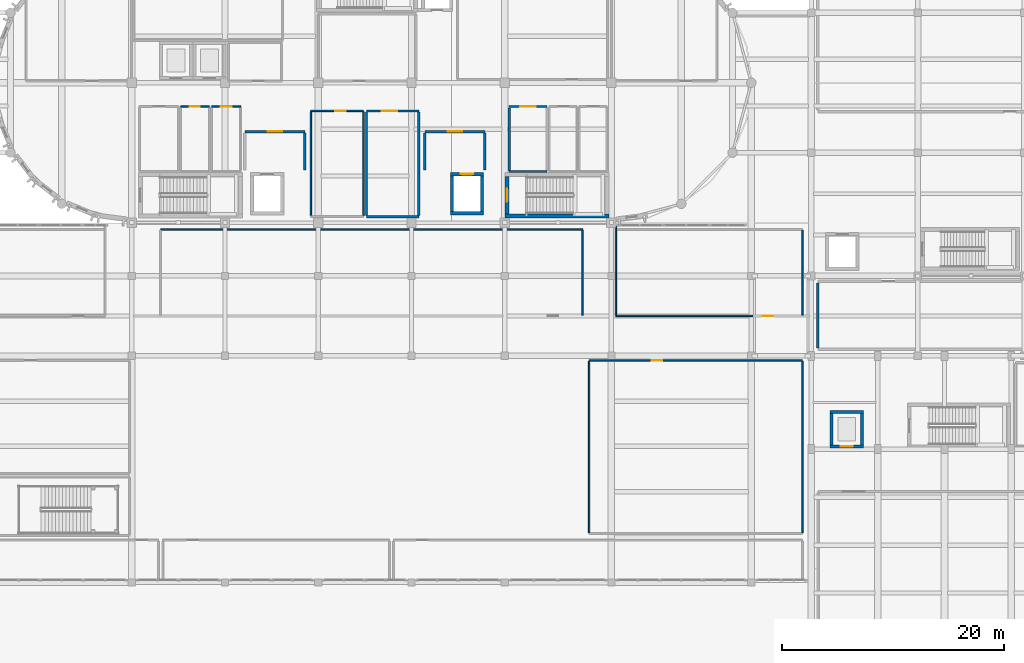
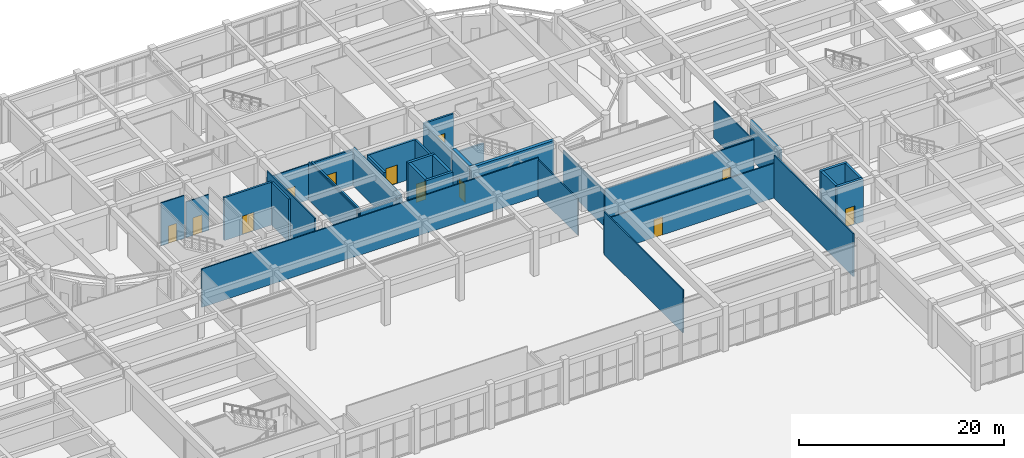
# One storey, part 73 of 98: 36 walls, 12 doors, 12 openings.
"""IFC4 building model written with IfcOpenShell, lengths in metres."""

import ifcopenshell
import ifcopenshell.guid

model = None  # the IFC model being written
_history = None  # IfcOwnerHistory: only IFC2X3 demands one
_inside = {}  # id of a spatial element -> (the spatial element, [elements in it])
_under = {}  # id of a project, library or spatial element -> (it, [spatial elements below it])
_declared = {}  # id of a project -> (the project, [libraries it declares])
_typed = {}  # id of a type object -> (the type object, [elements of that type])
_made_of = {}  # id of a material, layer set ... -> (it, [elements and type objects made of it])


def new_model(schema):
    """Start an empty IFC model of exactly this schema.

    Asked for "IFC4X3", IfcOpenShell would pick the latest addendum, in which some entities
    have other attributes; the version numbers below select the first issue.
    IFC2X3 requires an IfcOwnerHistory on every rooted entity: one is made here for all.
    """
    global model, _history
    if schema == "IFC4X3":
        model = ifcopenshell.file(schema_version=(4, 3, 0, 0))
    else:
        model = ifcopenshell.file(schema=schema)
    _inside.clear()
    _under.clear()
    _declared.clear()
    _typed.clear()
    _made_of.clear()
    _history = None
    if model.schema == "IFC2X3":
        org = make("IfcOrganization", Name="unknown")
        user = make(
            "IfcPersonAndOrganization",
            ThePerson=make("IfcPerson", FamilyName="unknown"),
            TheOrganization=org,
        )
        app = make(
            "IfcApplication",
            ApplicationDeveloper=org,
            Version="unknown",
            ApplicationFullName="unknown",
            ApplicationIdentifier="unknown",
        )
        _history = make(
            "IfcOwnerHistory",
            OwningUser=user,
            OwningApplication=app,
            ChangeAction="ADDED",
            CreationDate=0,
        )
    return model


def make(cls, **values):
    """One entity of the class cls with the attributes given. An attribute that is None is left unset."""
    return model.create_entity(
        cls, **{name: value for name, value in values.items() if value is not None}
    )


def rooted(cls, **values):
    """An entity with a GlobalId (a new one), such as an element, a storey or a relation."""
    return make(cls, GlobalId=ifcopenshell.guid.new(), OwnerHistory=_history, **values)


def si_unit(unit_type, name, prefix=None):
    """IfcSIUnit, for example si_unit("LENGTHUNIT", "METRE", prefix="MILLI")."""
    return make("IfcSIUnit", UnitType=unit_type, Prefix=prefix, Name=name)


def assignment(units):
    """IfcUnitAssignment: the units of a project."""
    return None if units is None else make("IfcUnitAssignment", Units=units)


def point(xyz):
    """IfcCartesianPoint."""
    return None if xyz is None else make("IfcCartesianPoint", Coordinates=xyz)


def direction(xyz):
    """IfcDirection."""
    return None if xyz is None else make("IfcDirection", DirectionRatios=xyz)


def frame(location, z_axis=None, x_axis=None):
    """IfcAxis2Placement3D, a coordinate frame: its origin and axes. An axis left out is left unset."""
    return make(
        "IfcAxis2Placement3D",
        Location=point(location),
        Axis=direction(z_axis),
        RefDirection=direction(x_axis),
    )


def frame_2d(location, x_axis=None):
    """IfcAxis2Placement2D, a coordinate frame in the plane: its origin and x axis."""
    return make(
        "IfcAxis2Placement2D", Location=point(location), RefDirection=direction(x_axis)
    )


def origin():
    """The frame at (0, 0, 0) with its axes left unset."""
    return frame((0.0, 0.0, 0.0))


def place(relative_to, where):
    """IfcLocalPlacement: puts the frame where relative to a parent placement (None: the world)."""
    return make(
        "IfcLocalPlacement", PlacementRelTo=relative_to, RelativePlacement=where
    )


def context(
    kind, dimensions, precision=None, world=None, true_north=None, identifier=None
):
    """IfcGeometricRepresentationContext, for example the 3D "Model" context."""
    return make(
        "IfcGeometricRepresentationContext",
        ContextIdentifier=identifier,
        ContextType=kind,
        CoordinateSpaceDimension=dimensions,
        Precision=precision,
        WorldCoordinateSystem=world,
        TrueNorth=true_north,
    )


def subcontext(parent, identifier, kind, view, scale=None):
    """IfcGeometricRepresentationSubContext, for example "Body" below "Model"."""
    return make(
        "IfcGeometricRepresentationSubContext",
        ContextIdentifier=identifier,
        ContextType=kind,
        ParentContext=parent,
        TargetScale=scale,
        TargetView=view,
    )


def project(units=None, contexts=None):
    """IfcProject with its units and contexts."""
    return rooted(
        "IfcProject",
        Name="project",
        RepresentationContexts=contexts,
        UnitsInContext=assignment(units),
    )


def spatial(cls, under=None, at=None, **own):
    """A site, building, storey or space (cls), placed at a placement, below another one or the project."""
    s = rooted(cls, ObjectPlacement=at, **own)
    if under is not None:
        _under.setdefault(under.id(), (under, []))[1].append(s)
    return s


def profile(cls, at=None, kind="AREA", **sizes):
    """A parametric profile (cls). Its sizes go by their IFC names, for example OverallWidth=200.0."""
    return make(cls, ProfileType=kind, Position=at, **sizes)


def rectangle(**sizes):
    """IfcRectangleProfileDef."""
    return profile("IfcRectangleProfileDef", **sizes)


def extrude(swept, where, along, depth):
    """IfcExtrudedAreaSolid: the profile swept, set in the frame where, extruded along a direction by depth."""
    return make(
        "IfcExtrudedAreaSolid",
        SweptArea=swept,
        Position=where,
        ExtrudedDirection=direction(along),
        Depth=depth,
    )


def shape(context_of_items, identifier, shape_type, items):
    """IfcShapeRepresentation: the items that make up one representation, for example the "Body"."""
    return make(
        "IfcShapeRepresentation",
        ContextOfItems=context_of_items,
        RepresentationIdentifier=identifier,
        RepresentationType=shape_type,
        Items=items,
    )


def material(Name=None, Category=None):
    """IfcMaterial."""
    return make("IfcMaterial", Name=Name, Category=Category)


def layer(
    of_material, thickness, ventilated=None, Name=None, Category=None, Priority=None
):
    """IfcMaterialLayer: one layer of a wall or slab, of a material (None: an air gap)."""
    return make(
        "IfcMaterialLayer",
        Material=of_material,
        LayerThickness=thickness,
        IsVentilated=ventilated,
        Name=Name,
        Category=Category,
        Priority=Priority,
    )


def layer_set(layers, Name=None):
    """IfcMaterialLayerSet."""
    return make("IfcMaterialLayerSet", MaterialLayers=layers, LayerSetName=Name)


def made_of(thing, what):
    """Note that an element or type object is made of a material, layer set ...; save() writes the relation."""
    if what is not None:
        _made_of.setdefault(what.id(), (what, []))[1].append(thing)
    return thing


def type_object(cls, material=None, **own):
    """A type object (cls), such as IfcWallType, which elements share."""
    return made_of(rooted(cls, **own), material)


def element(
    cls,
    number,
    at=None,
    inside=None,
    cuts=None,
    type_object=None,
    material=None,
    context=None,
    identifier="Body",
    shape_type=None,
    held_by="IfcProductDefinitionShape",
    body=None,
    shapes=None,
    **own,
):
    """One element of the class cls, such as IfcWall. Its Tag is "e" and its number.

    at: its placement. inside: the storey or other place that contains it. cuts: it is an
    opening in that element (IfcRelVoidsElement). A single representation is given by context,
    identifier, shape_type and body (its items); several are given by shapes. held_by: the class
    of the entity that holds the representations. save() writes the other relations.
    """
    e = rooted(cls, Tag="e%d" % number, ObjectPlacement=at, **own)
    if body is not None:
        shapes = [shape(context, identifier, shape_type, body)]
    if shapes is not None:
        e.Representation = make(held_by, Representations=shapes)
    if inside is not None:
        _inside.setdefault(inside.id(), (inside, []))[1].append(e)
    if cuts is not None:
        rooted(
            "IfcRelVoidsElement", RelatingBuildingElement=cuts, RelatedOpeningElement=e
        )
    if type_object is not None:
        _typed.setdefault(type_object.id(), (type_object, []))[1].append(e)
    return made_of(e, material)


def fill(opening, filler):
    """IfcRelFillsElement: the door or window that sits in an opening."""
    return rooted(
        "IfcRelFillsElement",
        RelatingOpeningElement=opening,
        RelatedBuildingElement=filler,
    )


def aggregate(whole, parts):
    """IfcRelAggregates: a whole, such as a stair, and the parts it consists of."""
    return rooted("IfcRelAggregates", RelatingObject=whole, RelatedObjects=parts)


def save(model, path):
    """Write the relations noted so far, then the file.

    IfcRelAggregates (storeys below a building ...), IfcRelContainedInSpatialStructure (elements
    in a storey), IfcRelDefinesByType, IfcRelAssociatesMaterial and IfcRelDeclares: one each for
    every whole, place, type object, material and project.
    """
    for whole, parts in _under.values():
        aggregate(whole, parts)
    for where, things in _inside.values():
        rooted(
            "IfcRelContainedInSpatialStructure",
            RelatedElements=things,
            RelatingStructure=where,
        )
    for kind, things in _typed.values():
        rooted("IfcRelDefinesByType", RelatedObjects=things, RelatingType=kind)
    for what, things in _made_of.values():
        rooted("IfcRelAssociatesMaterial", RelatedObjects=things, RelatingMaterial=what)
    for by, libraries in _declared.values():
        rooted("IfcRelDeclares", RelatingContext=by, RelatedDefinitions=libraries)
    model.write(path)


model = new_model("IFC4")

# Units and contexts
model_context = context("Model", 3, precision=1e-05, world=origin(), true_north=direction((0.0, 1.0)))
body_context = subcontext(model_context, "Body", "Model", "MODEL_VIEW")
ifc_project = project(units=[si_unit("LENGTHUNIT", "METRE"), si_unit("AREAUNIT", "SQUARE_METRE"), si_unit("VOLUMEUNIT", "CUBIC_METRE"), si_unit("PLANEANGLEUNIT", "RADIAN"), si_unit("MASSUNIT", "GRAM", prefix="KILO")], contexts=[model_context])

# Site, building, storey
site_placement = place(None, origin())
site = spatial("IfcSite", under=ifc_project, at=site_placement, CompositionType="ELEMENT")
building_placement = place(site_placement, origin())
building = spatial("IfcBuilding", under=site, at=building_placement, Name="Tarnavel Promenade Courthouse", CompositionType="ELEMENT")
storey_placement = place(building_placement, origin())
storey = spatial("IfcBuildingStorey", under=building, at=storey_placement, Name="L01", CompositionType="ELEMENT", Elevation=0.0)

# Wall, opening, door
ifc_material_1 = material(Name="Concrete C40/50", Category="concrete")
ifc_layer_1 = layer(ifc_material_1, 0.280029296875)
ifc_layer_set_1 = layer_set([ifc_layer_1], Name="Concrete C40/50")
wall_type_1 = type_object("IfcWallType", Name="Concrete C40/50 WL-SHR-280 (280 mm)", PredefinedType="SHEAR", material=ifc_layer_set_1)
wall_1_placement = place(storey_placement, frame((87.5, 83.56005859375, 0.0), z_axis=(0.0, 0.0, 1.0), x_axis=(1.0, 0.0, 0.0)))
wall_1 = element("IfcWall", 1, at=wall_1_placement, inside=storey, type_object=wall_type_1, Name="L01 L-FF2 Lift Shaft North Wall", PredefinedType="SHEAR", context=body_context, shape_type="SweptSolid", body=[
    extrude(rectangle(XDim=3.0, YDim=0.280029296875, at=frame_2d((1.5, 0.0))), origin(), (0.0, 0.0, 1.0), 5.139892578125),
])
opening_1_placement = place(wall_1_placement, frame((0.949951171875, 0.0, 0.0)))
opening_1 = element("IfcOpeningElement", 2, at=opening_1_placement, cuts=wall_1, Name="Opening LD-01", PredefinedType="OPENING", context=body_context, shape_type="SweptSolid", body=[
    extrude(rectangle(XDim=1.10009765625, YDim=2.199951171875, at=frame_2d((0.550048828125, 1.10009765625))), frame((0.0, 0.14990234375, 0.0), z_axis=(0.0, -1.0, 0.0), x_axis=(1.0, 0.0, 0.0)), (0.0, 0.0, 1.0), 0.300048828125),
])
ifc_material_2 = material(Name="Stainless Steel Firefighting Lift Landing Sliding Door", Category="steel")
door_type_1 = type_object("IfcDoorType", Name="Stainless Steel Firefighting Lift Landing Sliding Door (LD-FF-1100x2200)", OperationType="NOTDEFINED", PredefinedType="DOOR", material=ifc_material_2)
door_1_placement = place(opening_1_placement, origin())
door_1 = element("IfcDoor", 3, at=door_1_placement, inside=storey, type_object=door_type_1, Name="L01 L-FF2 Lift Sliding Landing Door", OperationType="DOUBLE_DOOR_SLIDING", OverallHeight=2.199951171875, OverallWidth=1.10009765625, PredefinedType="DOOR", context=body_context, shape_type="SweptSolid", body=[
    extrude(rectangle(XDim=1.10009765625, YDim=2.199951171875, at=frame_2d((0.550048828125, 1.10009765625))), frame((0.0, 0.02490234375, 0.0), z_axis=(0.0, -1.0, 0.0), x_axis=(1.0, 0.0, 0.0)), (0.0, 0.0, 1.0), 0.050048828125),
])
fill(opening_1, door_1)

# Walls
wall_2_placement = place(storey_placement, frame((90.5, 80.0400390625, 0.0), z_axis=(0.0, 0.0, 1.0), x_axis=(-1.0, 0.0, 0.0)))
element("IfcWall", 4, at=wall_2_placement, inside=storey, type_object=wall_type_1, Name="L01 L-FF2 Lift Shaft South Wall", PredefinedType="SHEAR", context=body_context, shape_type="SweptSolid", body=[
    extrude(rectangle(XDim=3.0, YDim=0.280029296875, at=frame_2d((1.5, 0.0))), origin(), (0.0, 0.0, 1.0), 5.139892578125),
])
for number, where, z_axis, x_axis, name in (
    (5, (87.639892578125, 80.179931640625, 0.0), (0.0, 0.0, 1.0), (0.0, 1.0, 0.0), "L01 L-FF2 Lift Shaft West Wall"),
    (6, (90.360107421875, 83.419921875, 0.0), (0.0, 0.0, 1.0), (0.0, -1.0, 0.0), "L01 L-FF2 Lift Shaft East Wall"),
):
    element("IfcWall", number, at=place(storey_placement, frame(where, z_axis=z_axis, x_axis=x_axis)), inside=storey, type_object=wall_type_1, Name=name, PredefinedType="SHEAR", context=body_context, shape_type="SweptSolid", body=[
        extrude(rectangle(XDim=3.239990234375, YDim=0.280029296875, at=frame_2d((1.6201171875, 0.0))), origin(), (0.0, 0.0, 1.0), 5.139892578125),
    ])
wall_3_placement = place(storey_placement, frame((121.699951171875, 62.159912109375, 0.0), z_axis=(0.0, 0.0, 1.0), x_axis=(1.0, 0.0, 0.0)))
element("IfcWall", 7, at=wall_3_placement, inside=storey, type_object=wall_type_1, Name="L01 L-PUB4 Lift Shaft North Wall", PredefinedType="SHEAR", context=body_context, shape_type="SweptSolid", body=[
    extrude(rectangle(XDim=3.0, YDim=0.280029296875, at=frame_2d((1.5, 0.0))), origin(), (0.0, 0.0, 1.0), 5.139892578125),
])

# Wall, opening, door
wall_4_placement = place(storey_placement, frame((124.699951171875, 59.0400390625, 0.0), z_axis=(0.0, 0.0, 1.0), x_axis=(-1.0, 0.0, 0.0)))
wall_4 = element("IfcWall", 8, at=wall_4_placement, inside=storey, type_object=wall_type_1, Name="L01 L-PUB4 Lift Shaft South Wall", PredefinedType="SHEAR", context=body_context, shape_type="SweptSolid", body=[
    extrude(rectangle(XDim=3.0, YDim=0.280029296875, at=frame_2d((1.5, 0.0))), origin(), (0.0, 0.0, 1.0), 5.139892578125),
])
opening_2_placement = place(wall_4_placement, frame((0.97509765625, 0.0, 0.0)))
opening_2 = element("IfcOpeningElement", 9, at=opening_2_placement, cuts=wall_4, Name="Opening LD-02", PredefinedType="OPENING", context=body_context, shape_type="SweptSolid", body=[
    extrude(rectangle(XDim=1.050048828125, YDim=2.199951171875, at=frame_2d((0.52490234375, 1.10009765625))), frame((0.0, 0.14990234375, 0.0), z_axis=(0.0, -1.0, 0.0), x_axis=(1.0, 0.0, 0.0)), (0.0, 0.0, 1.0), 0.300048828125),
])
ifc_material_3 = material(Name="Brushed Bronze Passenger Lift Landing Sliding Door")
door_type_2 = type_object("IfcDoorType", Name="Brushed Bronze Passenger Lift Landing Sliding Door (LD-PUB-1050x2200)", OperationType="NOTDEFINED", PredefinedType="DOOR", material=ifc_material_3)
door_2_placement = place(opening_2_placement, origin())
door_2 = element("IfcDoor", 10, at=door_2_placement, inside=storey, type_object=door_type_2, Name="L01 L-PUB4 Lift Sliding Landing Door", OperationType="DOUBLE_DOOR_SLIDING", OverallHeight=2.199951171875, OverallWidth=1.050048828125, PredefinedType="DOOR", context=body_context, shape_type="SweptSolid", body=[
    extrude(rectangle(XDim=1.050048828125, YDim=2.199951171875, at=frame_2d((0.52490234375, 1.10009765625))), frame((0.0, 0.02490234375, 0.0), z_axis=(0.0, -1.0, 0.0), x_axis=(1.0, 0.0, 0.0)), (0.0, 0.0, 1.0), 0.050048828125),
])
fill(opening_2, door_2)

# Walls
for number, where, z_axis, x_axis, name in (
    (11, (121.840087890625, 59.179931640625, 0.0), (0.0, 0.0, 1.0), (0.0, 1.0, 0.0), "L01 L-PUB4 Lift Shaft West Wall"),
    (12, (124.56005859375, 62.02001953125, 0.0), (0.0, 0.0, 1.0), (0.0, -1.0, 0.0), "L01 L-PUB4 Lift Shaft East Wall"),
):
    element("IfcWall", number, at=place(storey_placement, frame(where, z_axis=z_axis, x_axis=x_axis)), inside=storey, type_object=wall_type_1, Name=name, PredefinedType="SHEAR", context=body_context, shape_type="SweptSolid", body=[
        extrude(rectangle(XDim=2.840087890625, YDim=0.280029296875, at=frame_2d((1.419921875, 0.0))), origin(), (0.0, 0.0, 1.0), 5.139892578125),
    ])
ifc_layer_2 = layer(ifc_material_1, 0.360107421875)
ifc_layer_set_2 = layer_set([ifc_layer_2], Name="Concrete C40/50")
wall_type_2 = type_object("IfcWallType", Name="Concrete C40/50 WL-SHR-360 (360 mm)", PredefinedType="SHEAR", material=ifc_layer_set_2)
wall_5_placement = place(storey_placement, frame((101.780029296875, 79.800048828125, 0.0), z_axis=(0.0, 0.0, 1.0), x_axis=(-1.0, 0.0, 0.0)))
element("IfcWall", 13, at=wall_5_placement, inside=storey, type_object=wall_type_2, Name="L01 ST-02 Shear Core South Wall", PredefinedType="SHEAR", context=body_context, shape_type="SweptSolid", body=[
    extrude(rectangle(XDim=9.360107421875, YDim=0.360107421875, at=frame_2d((4.68017578125, 0.0))), origin(), (0.0, 0.0, 1.0), 5.139892578125),
])

# Wall, opening, door
wall_6_placement = place(storey_placement, frame((92.60009765625, 79.97998046875, 0.0), z_axis=(0.0, 0.0, 1.0), x_axis=(0.0, 1.0, 0.0)))
wall_6 = element("IfcWall", 14, at=wall_6_placement, inside=storey, type_object=wall_type_2, Name="L01 ST-02 Shear Core West Landing Wall", PredefinedType="SHEAR", context=body_context, shape_type="SweptSolid", body=[
    extrude(rectangle(XDim=3.360107421875, YDim=0.360107421875, at=frame_2d((1.68017578125, 0.0))), origin(), (0.0, 0.0, 1.0), 5.139892578125),
])
opening_3_placement = place(wall_6_placement, frame((1.080078125, 0.0, 0.0)))
opening_3 = element("IfcOpeningElement", 15, at=opening_3_placement, cuts=wall_6, Name="Opening FD-02", PredefinedType="OPENING", context=body_context, shape_type="SweptSolid", body=[
    extrude(rectangle(XDim=1.199951171875, YDim=2.199951171875, at=frame_2d((0.60009765625, 1.10009765625))), frame((0.0, 0.18994140625, 0.0), z_axis=(0.0, -1.0, 0.0), x_axis=(1.0, 0.0, 0.0)), (0.0, 0.0, 1.0), 0.380126953125),
])
ifc_material_4 = material(Name="Steel Fire-Rated Firefighting Stair Door", Category="steel")
door_type_3 = type_object("IfcDoorType", Name="Steel Fire-Rated Firefighting Stair Door (DR-ST-1200x2200)", OperationType="NOTDEFINED", PredefinedType="DOOR", material=ifc_material_4)
door_3_placement = place(opening_3_placement, origin())
door_3 = element("IfcDoor", 16, at=door_3_placement, inside=storey, type_object=door_type_3, Name="L01 ST-02 Protected Exit Stair Door", OperationType="SINGLE_SWING_LEFT", OverallHeight=2.199951171875, OverallWidth=1.199951171875, PredefinedType="DOOR", context=body_context, shape_type="SweptSolid", body=[
    extrude(rectangle(XDim=1.199951171875, YDim=2.199951171875, at=frame_2d((0.60009765625, 1.10009765625))), frame((0.0, 0.02490234375, 0.0), z_axis=(0.0, -1.0, 0.0), x_axis=(1.0, 0.0, 0.0)), (0.0, 0.0, 1.0), 0.050048828125),
])
fill(opening_3, door_3)

ifc_material_5 = material(Name="Concrete Masonry Fire Compartment Wall", Category="masonry")
ifc_layer_3 = layer(ifc_material_5, 0.205078125)
ifc_layer_set_3 = layer_set([ifc_layer_3], Name="Concrete Masonry Fire Compartment Wall")
wall_type_3 = type_object("IfcWallType", Name="Concrete Masonry Fire Compartment Wall WL-CMP-205 (205 mm)", PredefinedType="STANDARD", material=ifc_layer_set_3)
wall_7_placement = place(storey_placement, frame((92.800048828125, 89.64990234375, 0.0), z_axis=(0.0, 0.0, 1.0), x_axis=(1.0, 0.0, 0.0)))
wall_7 = element("IfcWall", 17, at=wall_7_placement, inside=storey, type_object=wall_type_3, Name="L01 L01 Court Transcript Records Room Partition 0109", PredefinedType="STANDARD", context=body_context, shape_type="SweptSolid", body=[
    extrude(rectangle(XDim=3.39990234375, YDim=0.205078125, at=frame_2d((1.699951171875, 0.0))), origin(), (0.0, 0.0, 1.0), 4.27001953125),
])
opening_4_placement = place(wall_7_placement, frame((1.0, 0.0, 0.0)))
opening_4 = element("IfcOpeningElement", 18, at=opening_4_placement, cuts=wall_7, Name="Opening FD-04", PredefinedType="OPENING", context=body_context, shape_type="SweptSolid", body=[
    extrude(rectangle(XDim=1.39990234375, YDim=2.25, at=frame_2d((0.699951171875, 1.125))), frame((0.0, 0.112548828125, 0.0), z_axis=(0.0, -1.0, 0.0), x_axis=(1.0, 0.0, 0.0)), (0.0, 0.0, 1.0), 0.22509765625),
])
ifc_material_6 = material(Name="Heavy Steel Plant Room Fire Door", Category="steel")
door_type_4 = type_object("IfcDoorType", Name="Heavy Steel Plant Room Fire Door (DR-PLT-1400x2250)", OperationType="NOTDEFINED", PredefinedType="DOOR", material=ifc_material_6)
door_4_placement = place(opening_4_placement, origin())
door_4 = element("IfcDoor", 19, at=door_4_placement, inside=storey, type_object=door_type_4, Name="L01 L01 Court Transcript Records Room Door 0031", OperationType="SINGLE_SWING_LEFT", OverallHeight=2.25, OverallWidth=1.39990234375, PredefinedType="DOOR", context=body_context, shape_type="SweptSolid", body=[
    extrude(rectangle(XDim=1.39990234375, YDim=2.25, at=frame_2d((0.699951171875, 1.125))), frame((0.0, 0.02490234375, 0.0), z_axis=(0.0, -1.0, 0.0), x_axis=(1.0, 0.0, 0.0)), (0.0, 0.0, 1.0), 0.050048828125),
])
fill(opening_4, door_4)

# Walls
wall_8_placement = place(storey_placement, frame((96.199951171875, 83.800048828125, 0.0), z_axis=(0.0, 0.0, 1.0), x_axis=(-1.0, 0.0, 0.0)))
element("IfcWall", 20, at=wall_8_placement, inside=storey, type_object=wall_type_3, Name="L01 L01 Court Transcript Records Room Partition 0110", PredefinedType="STANDARD", context=body_context, shape_type="SweptSolid", body=[
    extrude(rectangle(XDim=3.39990234375, YDim=0.205078125, at=frame_2d((1.699951171875, 0.0))), origin(), (0.0, 0.0, 1.0), 4.27001953125),
])
wall_9_placement = place(storey_placement, frame((92.800048828125, 83.91259765625, 0.0), z_axis=(0.0, 0.0, 1.0), x_axis=(0.0, 1.0, 0.0)))
element("IfcWall", 21, at=wall_9_placement, inside=storey, type_object=wall_type_3, Name="L01 L01 Court Transcript Records Room Partition 0111", PredefinedType="STANDARD", context=body_context, shape_type="SweptSolid", body=[
    extrude(rectangle(XDim=5.625, YDim=0.205078125, at=frame_2d((2.8125, 0.0))), origin(), (0.0, 0.0, 1.0), 4.27001953125),
])

# Wall, opening, door
wall_10_placement = place(storey_placement, frame((79.93994140625, 89.260009765625, 0.0), z_axis=(0.0, 0.0, 1.0), x_axis=(1.0, 0.0, 0.0)))
wall_10 = element("IfcWall", 22, at=wall_10_placement, inside=storey, type_object=wall_type_3, Name="L01 Judicial Archive Intake Room Partition 0236", PredefinedType="STANDARD", context=body_context, shape_type="SweptSolid", body=[
    extrude(rectangle(XDim=4.719970703125, YDim=0.205078125, at=frame_2d((2.35986328125, 0.0))), origin(), (0.0, 0.0, 1.0), 4.27001953125),
])
opening_5_placement = place(wall_10_placement, frame((1.39794921875, 0.0, 0.0)))
opening_5 = element("IfcOpeningElement", 23, at=opening_5_placement, cuts=wall_10, Name="Opening FD-04", PredefinedType="OPENING", context=body_context, shape_type="SweptSolid", body=[
    extrude(rectangle(XDim=1.39990234375, YDim=2.25, at=frame_2d((0.699951171875, 1.125))), frame((0.0, 0.112548828125, 0.0), z_axis=(0.0, -1.0, 0.0), x_axis=(1.0, 0.0, 0.0)), (0.0, 0.0, 1.0), 0.22509765625),
])
door_5_placement = place(opening_5_placement, origin())
door_5 = element("IfcDoor", 24, at=door_5_placement, inside=storey, type_object=door_type_4, Name="L01 Judicial Archive Intake Room Door 0068", OperationType="SINGLE_SWING_RIGHT", OverallHeight=2.25, OverallWidth=1.39990234375, PredefinedType="DOOR", context=body_context, shape_type="SweptSolid", body=[
    extrude(rectangle(XDim=1.39990234375, YDim=2.25, at=frame_2d((0.699951171875, 1.125))), frame((0.0, 0.02490234375, 0.0), z_axis=(0.0, -1.0, 0.0), x_axis=(1.0, 0.0, 0.0)), (0.0, 0.0, 1.0), 0.050048828125),
])
fill(opening_5, door_5)

# Walls
wall_11_placement = place(storey_placement, frame((84.659912109375, 79.739990234375, 0.0), z_axis=(0.0, 0.0, 1.0), x_axis=(-1.0, 0.0, 0.0)))
element("IfcWall", 25, at=wall_11_placement, inside=storey, type_object=wall_type_3, Name="L01 Judicial Archive Intake Room Partition 0237", PredefinedType="STANDARD", context=body_context, shape_type="SweptSolid", body=[
    extrude(rectangle(XDim=4.719970703125, YDim=0.205078125, at=frame_2d((2.35986328125, 0.0))), origin(), (0.0, 0.0, 1.0), 4.27001953125),
])
for number, where, z_axis, x_axis, name in (
    (26, (79.93994140625, 79.8525390625, 0.0), (0.0, 0.0, 1.0), (0.0, 1.0, 0.0), "L01 Judicial Archive Intake Room Partition 0238"),
    (27, (84.659912109375, 89.1474609375, 0.0), (0.0, 0.0, 1.0), (0.0, -1.0, 0.0), "L01 Judicial Archive Intake Room Partition 0239"),
):
    element("IfcWall", number, at=place(storey_placement, frame(where, z_axis=z_axis, x_axis=x_axis)), inside=storey, type_object=wall_type_3, Name=name, PredefinedType="STANDARD", context=body_context, shape_type="SweptSolid", body=[
        extrude(rectangle(XDim=9.294921875, YDim=0.205078125, at=frame_2d((4.6474609375, 0.0))), origin(), (0.0, 0.0, 1.0), 4.52001953125),
    ])

# Wall, opening, door
ifc_layer_4 = layer(ifc_material_5, 0.22998046875)
ifc_layer_set_4 = layer_set([ifc_layer_4], Name="Concrete Masonry Fire Compartment Wall")
wall_type_4 = type_object("IfcWallType", Name="Concrete Masonry Fire Compartment Wall WL-CMP-230 (230 mm)", PredefinedType="STANDARD", material=ifc_layer_set_4)
wall_12_placement = place(storey_placement, frame((69.0, 87.39990234375, 0.0), z_axis=(0.0, 0.0, 1.0), x_axis=(1.0, 0.0, 0.0)))
wall_12 = element("IfcWall", 28, at=wall_12_placement, inside=storey, type_object=wall_type_4, Name="L01 Firefighting Lobby L-FF1 Partition 0083", PredefinedType="STANDARD", context=body_context, shape_type="SweptSolid", body=[
    extrude(rectangle(XDim=5.39990234375, YDim=0.22998046875, at=frame_2d((2.699951171875, 0.0))), origin(), (0.0, 0.0, 1.0), 5.125),
])
opening_6_placement = place(wall_12_placement, frame((2.050048828125, 0.0, 0.0)))
opening_6 = element("IfcOpeningElement", 29, at=opening_6_placement, cuts=wall_12, Name="Opening FD-03", PredefinedType="OPENING", context=body_context, shape_type="SweptSolid", body=[
    extrude(rectangle(XDim=1.300048828125, YDim=2.199951171875, at=frame_2d((0.64990234375, 1.10009765625))), frame((0.0, 0.125, 0.0), z_axis=(0.0, -1.0, 0.0), x_axis=(1.0, 0.0, 0.0)), (0.0, 0.0, 1.0), 0.25),
])
ifc_material_7 = material(Name="Smoke-Sealed Firefighting Lobby Fire Door")
door_type_5 = type_object("IfcDoorType", Name="Smoke-Sealed Firefighting Lobby Fire Door (DR-FFL-1300x2200)", OperationType="NOTDEFINED", PredefinedType="DOOR", material=ifc_material_7)
door_6_placement = place(opening_6_placement, origin())
door_6 = element("IfcDoor", 30, at=door_6_placement, inside=storey, type_object=door_type_5, Name="L01 Firefighting Lobby L-FF1 Door 0024", OperationType="SINGLE_SWING_RIGHT", OverallHeight=2.199951171875, OverallWidth=1.300048828125, PredefinedType="DOOR", context=body_context, shape_type="SweptSolid", body=[
    extrude(rectangle(XDim=1.300048828125, YDim=2.199951171875, at=frame_2d((0.64990234375, 1.10009765625))), frame((0.0, 0.02490234375, 0.0), z_axis=(0.0, -1.0, 0.0), x_axis=(1.0, 0.0, 0.0)), (0.0, 0.0, 1.0), 0.050048828125),
])
fill(opening_6, door_6)

# Wall
wall_13_placement = place(storey_placement, frame((74.39990234375, 87.27490234375, 0.0), z_axis=(0.0, 0.0, 1.0), x_axis=(0.0, -1.0, 0.0)))
element("IfcWall", 31, at=wall_13_placement, inside=storey, type_object=wall_type_4, Name="L01 Firefighting Lobby L-FF1 Partition 0085", PredefinedType="STANDARD", context=body_context, shape_type="SweptSolid", body=[
    extrude(rectangle(XDim=3.349853515625, YDim=0.22998046875, at=frame_2d((1.6748046875, 0.0))), origin(), (0.0, 0.0, 1.0), 5.125),
])

# Wall, opening, door
wall_14_placement = place(storey_placement, frame((85.199951171875, 87.39990234375, 0.0), z_axis=(0.0, 0.0, 1.0), x_axis=(1.0, 0.0, 0.0)))
wall_14 = element("IfcWall", 32, at=wall_14_placement, inside=storey, type_object=wall_type_4, Name="L01 Firefighting Lobby L-FF2 Partition 0086", PredefinedType="STANDARD", context=body_context, shape_type="SweptSolid", body=[
    extrude(rectangle(XDim=5.400146484375, YDim=0.22998046875, at=frame_2d((2.7001953125, 0.0))), origin(), (0.0, 0.0, 1.0), 4.52001953125),
])
opening_7_placement = place(wall_14_placement, frame((2.050048828125, 0.0, 0.0)))
opening_7 = element("IfcOpeningElement", 33, at=opening_7_placement, cuts=wall_14, Name="Opening FD-03", PredefinedType="OPENING", context=body_context, shape_type="SweptSolid", body=[
    extrude(rectangle(XDim=1.300048828125, YDim=2.199951171875, at=frame_2d((0.64990234375, 1.10009765625))), frame((0.0, 0.125, 0.0), z_axis=(0.0, -1.0, 0.0), x_axis=(1.0, 0.0, 0.0)), (0.0, 0.0, 1.0), 0.25),
])
door_7_placement = place(opening_7_placement, origin())
door_7 = element("IfcDoor", 34, at=door_7_placement, inside=storey, type_object=door_type_5, Name="L01 Firefighting Lobby L-FF2 Door 0025", OperationType="SINGLE_SWING_LEFT", OverallHeight=2.199951171875, OverallWidth=1.300048828125, PredefinedType="DOOR", context=body_context, shape_type="SweptSolid", body=[
    extrude(rectangle(XDim=1.300048828125, YDim=2.199951171875, at=frame_2d((0.64990234375, 1.10009765625))), frame((0.0, 0.02490234375, 0.0), z_axis=(0.0, -1.0, 0.0), x_axis=(1.0, 0.0, 0.0)), (0.0, 0.0, 1.0), 0.050048828125),
])
fill(opening_7, door_7)

# Walls
for number, where, z_axis, x_axis, name in (
    (35, (85.199951171875, 83.925048828125, 0.0), (0.0, 0.0, 1.0), (0.0, 1.0, 0.0), "L01 Firefighting Lobby L-FF2 Partition 0087"),
    (36, (90.60009765625, 87.27490234375, 0.0), (0.0, 0.0, 1.0), (0.0, -1.0, 0.0), "L01 Firefighting Lobby L-FF2 Partition 0088"),
):
    element("IfcWall", number, at=place(storey_placement, frame(where, z_axis=z_axis, x_axis=x_axis)), inside=storey, type_object=wall_type_4, Name=name, PredefinedType="STANDARD", context=body_context, shape_type="SweptSolid", body=[
        extrude(rectangle(XDim=3.349853515625, YDim=0.22998046875, at=frame_2d((1.6748046875, 0.0))), origin(), (0.0, 0.0, 1.0), 4.52001953125),
    ])
wall_15_placement = place(storey_placement, frame((120.60009765625, 67.925048828125, 0.0), z_axis=(0.0, 0.0, 1.0), x_axis=(0.0, 1.0, 0.0)))
element("IfcWall", 37, at=wall_15_placement, inside=storey, type_object=wall_type_4, Name="L01 Custody Suite Intake Processing Partition 0211", PredefinedType="STANDARD", context=body_context, shape_type="SweptSolid", body=[
    extrude(rectangle(XDim=5.849853515625, YDim=0.22998046875, at=frame_2d((2.9248046875, 0.0))), origin(), (0.0, 0.0, 1.0), 4.570068359375),
])
ifc_material_8 = material(Name="Metal-Stud Acoustic Gypsum Partition", Category="gypsum")
ifc_layer_5 = layer(ifc_material_8, 0.135009765625)
ifc_layer_set_5 = layer_set([ifc_layer_5], Name="Metal-Stud Acoustic Gypsum Partition")
wall_type_5 = type_object("IfcWallType", Name="Metal-Stud Acoustic Gypsum Partition WL-OFF-135 (135 mm)", PredefinedType="PARTITIONING", material=ifc_layer_set_5)
wall_16_placement = place(storey_placement, frame((61.39990234375, 78.60009765625, 0.0), z_axis=(0.0, 0.0, 1.0), x_axis=(1.0, 0.0, 0.0)))
element("IfcWall", 38, at=wall_16_placement, inside=storey, type_object=wall_type_5, Name="L01 Central Civil and Commercial Docket Registry Partition 0180", PredefinedType="PARTITIONING", context=body_context, shape_type="SweptSolid", body=[
    extrude(rectangle(XDim=38.0, YDim=0.135009765625, at=frame_2d((19.0, 0.0))), origin(), (0.0, 0.0, 1.0), 4.580078125),
])
wall_17_placement = place(storey_placement, frame((99.39990234375, 78.5224609375, 0.0), z_axis=(0.0, 0.0, 1.0), x_axis=(0.0, -1.0, 0.0)))
element("IfcWall", 39, at=wall_17_placement, inside=storey, type_object=wall_type_5, Name="L01 Central Civil and Commercial Docket Registry Partition 0183", PredefinedType="PARTITIONING", context=body_context, shape_type="SweptSolid", body=[
    extrude(rectangle(XDim=7.64501953125, YDim=0.135009765625, at=frame_2d((3.822509765625, 0.0))), origin(), (0.0, 0.0, 1.0), 4.330078125),
])

# Wall, opening, door
wall_18_placement = place(storey_placement, frame((119.199951171875, 70.800048828125, 0.0), z_axis=(0.0, 0.0, 1.0), x_axis=(-1.0, 0.0, 0.0)))
wall_18 = element("IfcWall", 40, at=wall_18_placement, inside=storey, type_object=wall_type_5, Name="L01 Advocates' Collegium Seminar Room Partition 0185", PredefinedType="PARTITIONING", context=body_context, shape_type="SweptSolid", body=[
    extrude(rectangle(XDim=16.800048828125, YDim=0.135009765625, at=frame_2d((8.39990234375, 0.0))), origin(), (0.0, 0.0, 1.0), 4.530029296875),
])
opening_8_placement = place(wall_18_placement, frame((2.62255859375, 0.0, 0.0)))
opening_8 = element("IfcOpeningElement", 41, at=opening_8_placement, cuts=wall_18, Name="Opening ID-06", PredefinedType="OPENING", context=body_context, shape_type="SweptSolid", body=[
    extrude(rectangle(XDim=0.949951171875, YDim=2.14990234375, at=frame_2d((0.47509765625, 1.074951171875))), frame((0.0, 0.077392578125, 0.0), z_axis=(0.0, -1.0, 0.0), x_axis=(1.0, 0.0, 0.0)), (0.0, 0.0, 1.0), 0.155029296875),
])
ifc_material_9 = material(Name="Acoustic Timber Veneer Office Door", Category="wood")
door_type_6 = type_object("IfcDoorType", Name="Acoustic Timber Veneer Office Door (DR-OFF-0950x2150)", OperationType="NOTDEFINED", PredefinedType="DOOR", material=ifc_material_9)
door_8_placement = place(opening_8_placement, origin())
door_8 = element("IfcDoor", 42, at=door_8_placement, inside=storey, type_object=door_type_6, Name="L01 Advocates' Collegium Seminar Room Door 0053", OperationType="SINGLE_SWING_RIGHT", OverallHeight=2.14990234375, OverallWidth=0.949951171875, PredefinedType="DOOR", context=body_context, shape_type="SweptSolid", body=[
    extrude(rectangle(XDim=0.949951171875, YDim=2.14990234375, at=frame_2d((0.47509765625, 1.074951171875))), frame((0.0, 0.02490234375, 0.0), z_axis=(0.0, -1.0, 0.0), x_axis=(1.0, 0.0, 0.0)), (0.0, 0.0, 1.0), 0.050048828125),
])
fill(opening_8, door_8)

# Walls
wall_19_placement = place(storey_placement, frame((102.39990234375, 70.87744140625, 0.0), z_axis=(0.0, 0.0, 1.0), x_axis=(0.0, 1.0, 0.0)))
element("IfcWall", 43, at=wall_19_placement, inside=storey, type_object=wall_type_5, Name="L01 Advocates' Collegium Seminar Room Partition 0186", PredefinedType="PARTITIONING", context=body_context, shape_type="SweptSolid", body=[
    extrude(rectangle(XDim=7.982666015625, YDim=0.135009765625, at=frame_2d((3.9912109375, 0.0))), origin(), (0.0, 0.0, 1.0), 4.22998046875),
])
wall_20_placement = place(storey_placement, frame((119.199951171875, 78.5224609375, 0.0), z_axis=(0.0, 0.0, 1.0), x_axis=(0.0, -1.0, 0.0)))
element("IfcWall", 44, at=wall_20_placement, inside=storey, type_object=wall_type_5, Name="L01 Advocates' Collegium Seminar Room Partition 0187", PredefinedType="PARTITIONING", context=body_context, shape_type="SweptSolid", body=[
    extrude(rectangle(XDim=7.64501953125, YDim=0.135009765625, at=frame_2d((3.822509765625, 0.0))), origin(), (0.0, 0.0, 1.0), 4.429931640625),
])

# Wall, opening, door
wall_21_placement = place(storey_placement, frame((100.0, 66.800048828125, 0.0), z_axis=(0.0, 0.0, 1.0), x_axis=(1.0, 0.0, 0.0)))
wall_21 = element("IfcWall", 45, at=wall_21_placement, inside=storey, type_object=wall_type_5, Name="L01 Citizens' Legal Information Centre Partition 0188", PredefinedType="PARTITIONING", context=body_context, shape_type="SweptSolid", body=[
    extrude(rectangle(XDim=19.199951171875, YDim=0.135009765625, at=frame_2d((9.60009765625, 0.0))), origin(), (0.0, 0.0, 1.0), 4.1298828125),
])
opening_9_placement = place(wall_21_placement, frame((5.614990234375, 0.0, 0.0)))
opening_9 = element("IfcOpeningElement", 46, at=opening_9_placement, cuts=wall_21, Name="Opening ID-06", PredefinedType="OPENING", context=body_context, shape_type="SweptSolid", body=[
    extrude(rectangle(XDim=0.949951171875, YDim=2.14990234375, at=frame_2d((0.47509765625, 1.074951171875))), frame((0.0, 0.077392578125, 0.0), z_axis=(0.0, -1.0, 0.0), x_axis=(1.0, 0.0, 0.0)), (0.0, 0.0, 1.0), 0.155029296875),
])
door_9_placement = place(opening_9_placement, origin())
door_9 = element("IfcDoor", 47, at=door_9_placement, inside=storey, type_object=door_type_6, Name="L01 Citizens' Legal Information Centre Door 0054", OperationType="SINGLE_SWING_LEFT", OverallHeight=2.14990234375, OverallWidth=0.949951171875, PredefinedType="DOOR", context=body_context, shape_type="SweptSolid", body=[
    extrude(rectangle(XDim=0.949951171875, YDim=2.14990234375, at=frame_2d((0.47509765625, 1.074951171875))), frame((0.0, 0.02490234375, 0.0), z_axis=(0.0, -1.0, 0.0), x_axis=(1.0, 0.0, 0.0)), (0.0, 0.0, 1.0), 0.050048828125),
])
fill(opening_9, door_9)

# Walls
for number, where, z_axis, x_axis, name in (
    (48, (100.0, 51.277587890625, 0.0), (0.0, 0.0, 1.0), (0.0, 1.0, 0.0), "L01 Citizens' Legal Information Centre Partition 0190"),
    (49, (119.199951171875, 66.722412109375, 0.0), (0.0, 0.0, 1.0), (0.0, -1.0, 0.0), "L01 Citizens' Legal Information Centre Partition 0191"),
):
    element("IfcWall", number, at=place(storey_placement, frame(where, z_axis=z_axis, x_axis=x_axis)), inside=storey, type_object=wall_type_5, Name=name, PredefinedType="PARTITIONING", context=body_context, shape_type="SweptSolid", body=[
        extrude(rectangle(XDim=15.44482421875, YDim=0.135009765625, at=frame_2d((7.722412109375, 0.0))), origin(), (0.0, 0.0, 1.0), 5.125),
    ])

# Wall, opening, door
wall_22_placement = place(storey_placement, frame((74.93994140625, 89.260009765625, 0.0), z_axis=(0.0, 0.0, 1.0), x_axis=(1.0, 0.0, 0.0)))
wall_22 = element("IfcWall", 50, at=wall_22_placement, inside=storey, type_object=wall_type_5, Name="L01 Notary and Apostille Counter Room Partition 0232", PredefinedType="PARTITIONING", context=body_context, shape_type="SweptSolid", body=[
    extrude(rectangle(XDim=4.719970703125, YDim=0.135009765625, at=frame_2d((2.35986328125, 0.0))), origin(), (0.0, 0.0, 1.0), 4.27001953125),
])
opening_10_placement = place(wall_22_placement, frame((2.19189453125, 0.0, 0.0)))
opening_10 = element("IfcOpeningElement", 51, at=opening_10_placement, cuts=wall_22, Name="Opening ID-06", PredefinedType="OPENING", context=body_context, shape_type="SweptSolid", body=[
    extrude(rectangle(XDim=0.949951171875, YDim=2.14990234375, at=frame_2d((0.47509765625, 1.074951171875))), frame((0.0, 0.077392578125, 0.0), z_axis=(0.0, -1.0, 0.0), x_axis=(1.0, 0.0, 0.0)), (0.0, 0.0, 1.0), 0.155029296875),
])
door_10_placement = place(opening_10_placement, origin())
door_10 = element("IfcDoor", 52, at=door_10_placement, inside=storey, type_object=door_type_6, Name="L01 Notary and Apostille Counter Room Door 0067", OperationType="SINGLE_SWING_LEFT", OverallHeight=2.14990234375, OverallWidth=0.949951171875, PredefinedType="DOOR", context=body_context, shape_type="SweptSolid", body=[
    extrude(rectangle(XDim=0.949951171875, YDim=2.14990234375, at=frame_2d((0.47509765625, 1.074951171875))), frame((0.0, 0.02490234375, 0.0), z_axis=(0.0, -1.0, 0.0), x_axis=(1.0, 0.0, 0.0)), (0.0, 0.0, 1.0), 0.050048828125),
])
fill(opening_10, door_10)

# Walls
wall_23_placement = place(storey_placement, frame((74.93994140625, 79.8173828125, 0.0), z_axis=(0.0, 0.0, 1.0), x_axis=(0.0, 1.0, 0.0)))
element("IfcWall", 53, at=wall_23_placement, inside=storey, type_object=wall_type_5, Name="L01 Notary and Apostille Counter Room Partition 0234", PredefinedType="PARTITIONING", context=body_context, shape_type="SweptSolid", body=[
    extrude(rectangle(XDim=9.365234375, YDim=0.135009765625, at=frame_2d((4.6826171875, 0.0))), origin(), (0.0, 0.0, 1.0), 5.125),
])
wall_24_placement = place(storey_placement, frame((79.659912109375, 89.1826171875, 0.0), z_axis=(0.0, 0.0, 1.0), x_axis=(0.0, -1.0, 0.0)))
element("IfcWall", 54, at=wall_24_placement, inside=storey, type_object=wall_type_5, Name="L01 Notary and Apostille Counter Room Partition 0235", PredefinedType="PARTITIONING", context=body_context, shape_type="SweptSolid", body=[
    extrude(rectangle(XDim=9.365234375, YDim=0.135009765625, at=frame_2d((4.6826171875, 0.0))), origin(), (0.0, 0.0, 1.0), 4.52001953125),
])

# Wall, opening, door
ifc_material_10 = material(Name="Moisture-Resistant Tile-Backed Stud Partition", Category="gypsum")
ifc_layer_6 = layer(ifc_material_10, 0.125)
ifc_layer_set_6 = layer_set([ifc_layer_6], Name="Moisture-Resistant Tile-Backed Stud Partition")
wall_type_6 = type_object("IfcWallType", Name="Moisture-Resistant Tile-Backed Stud Partition WL-WET-125 (125 mm)", PredefinedType="PARTITIONING", material=ifc_layer_set_6)
wall_25_placement = place(storey_placement, frame((63.199951171875, 89.64990234375, 0.0), z_axis=(0.0, 0.0, 1.0), x_axis=(1.0, 0.0, 0.0)))
wall_25 = element("IfcWall", 55, at=wall_25_placement, inside=storey, type_object=wall_type_6, Name="L01 Public WC Partition 0089", PredefinedType="PARTITIONING", context=body_context, shape_type="SweptSolid", body=[
    extrude(rectangle(XDim=2.60009765625, YDim=0.125, at=frame_2d((1.300048828125, 0.0))), origin(), (0.0, 0.0, 1.0), 5.125),
])
opening_11_placement = place(wall_25_placement, frame((0.85009765625, 0.0, 0.0)))
opening_11 = element("IfcOpeningElement", 56, at=opening_11_placement, cuts=wall_25, Name="Opening ID-08", PredefinedType="OPENING", context=body_context, shape_type="SweptSolid", body=[
    extrude(rectangle(XDim=0.89990234375, YDim=2.10009765625, at=frame_2d((0.449951171875, 1.050048828125))), frame((0.0, 0.072509765625, 0.0), z_axis=(0.0, -1.0, 0.0), x_axis=(1.0, 0.0, 0.0)), (0.0, 0.0, 1.0), 0.14501953125),
])
ifc_material_11 = material(Name="Moisture-Resistant Laminate Restroom Door")
door_type_7 = type_object("IfcDoorType", Name="Moisture-Resistant Laminate Restroom Door (DR-WC-0900x2100)", OperationType="NOTDEFINED", PredefinedType="DOOR", material=ifc_material_11)
door_11_placement = place(opening_11_placement, origin())
door_11 = element("IfcDoor", 57, at=door_11_placement, inside=storey, type_object=door_type_7, Name="L01 Public WC Door 0026", OperationType="SINGLE_SWING_RIGHT", OverallHeight=2.10009765625, OverallWidth=0.89990234375, PredefinedType="DOOR", context=body_context, shape_type="SweptSolid", body=[
    extrude(rectangle(XDim=0.89990234375, YDim=2.10009765625, at=frame_2d((0.449951171875, 1.050048828125))), frame((0.0, 0.02490234375, 0.0), z_axis=(0.0, -1.0, 0.0), x_axis=(1.0, 0.0, 0.0)), (0.0, 0.0, 1.0), 0.050048828125),
])
fill(opening_11, door_11)

wall_26_placement = place(storey_placement, frame((66.0, 89.64990234375, 0.0), z_axis=(0.0, 0.0, 1.0), x_axis=(1.0, 0.0, 0.0)))
wall_26 = element("IfcWall", 58, at=wall_26_placement, inside=storey, type_object=wall_type_6, Name="L01 Accessible WC Partition 0093", PredefinedType="PARTITIONING", context=body_context, shape_type="SweptSolid", body=[
    extrude(rectangle(XDim=2.60009765625, YDim=0.125, at=frame_2d((1.300048828125, 0.0))), origin(), (0.0, 0.0, 1.0), 4.27001953125),
])
opening_12_placement = place(wall_26_placement, frame((0.800048828125, 0.0, 0.0)))
opening_12 = element("IfcOpeningElement", 59, at=opening_12_placement, cuts=wall_26, Name="Opening ID-09", PredefinedType="OPENING", context=body_context, shape_type="SweptSolid", body=[
    extrude(rectangle(XDim=1.0, YDim=2.10009765625, at=frame_2d((0.5, 1.050048828125))), frame((0.0, 0.072509765625, 0.0), z_axis=(0.0, -1.0, 0.0), x_axis=(1.0, 0.0, 0.0)), (0.0, 0.0, 1.0), 0.14501953125),
])
ifc_material_12 = material(Name="Wide Accessible Restroom Outward Door")
door_type_8 = type_object("IfcDoorType", Name="Wide Accessible Restroom Outward Door (DR-AWC-1000x2100)", OperationType="NOTDEFINED", PredefinedType="DOOR", material=ifc_material_12)
door_12_placement = place(opening_12_placement, origin())
door_12 = element("IfcDoor", 60, at=door_12_placement, inside=storey, type_object=door_type_8, Name="L01 Accessible WC Door 0027", OperationType="SINGLE_SWING_LEFT", OverallHeight=2.10009765625, OverallWidth=1.0, PredefinedType="DOOR", context=body_context, shape_type="SweptSolid", body=[
    extrude(rectangle(XDim=1.0, YDim=2.10009765625, at=frame_2d((0.5, 1.050048828125))), frame((0.0, 0.02490234375, 0.0), z_axis=(0.0, -1.0, 0.0), x_axis=(1.0, 0.0, 0.0)), (0.0, 0.0, 1.0), 0.050048828125),
])
fill(opening_12, door_12)

save(model, "model.ifc")
